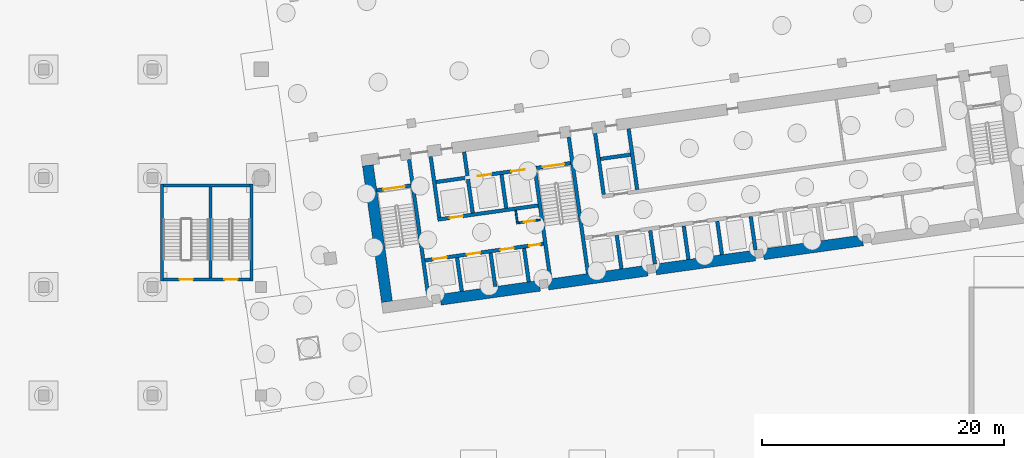
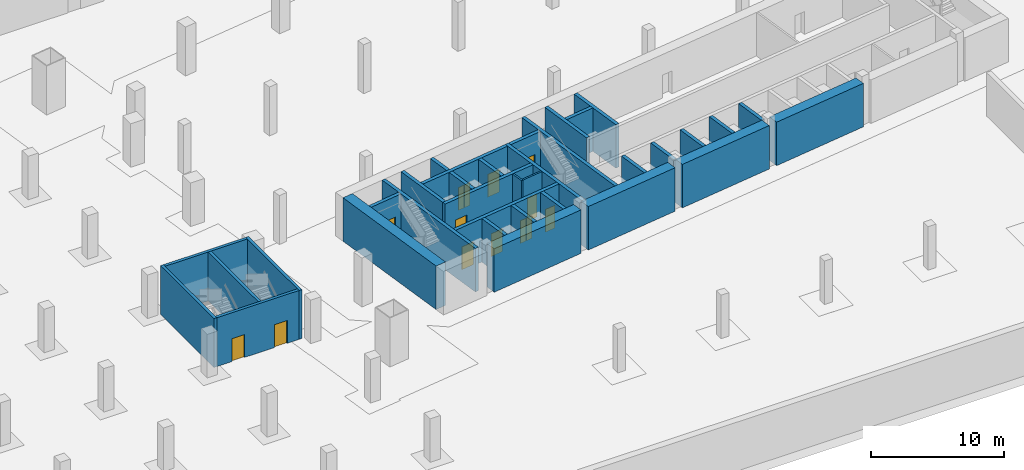
# One storey, part 10 of 19: 35 walls, 12 doors, 12 openings.
"""IFC4 building model written with IfcOpenShell, lengths in metres."""

from ifc_helpers import new_model, si_unit, direction, frame, frame_2d, origin, place, context, subcontext, project, spatial, rectangle, extrude, material, layer, layer_set, type_object, element, fill, save


model = new_model("IFC4")

# Units and contexts
model_context = context("Model", 3, precision=1e-05, world=origin(), true_north=direction((0.0, 1.0)))
body_context = subcontext(model_context, "Body", "Model", "MODEL_VIEW")
ifc_project = project(units=[si_unit("LENGTHUNIT", "METRE"), si_unit("AREAUNIT", "SQUARE_METRE"), si_unit("VOLUMEUNIT", "CUBIC_METRE"), si_unit("PLANEANGLEUNIT", "RADIAN"), si_unit("MASSUNIT", "GRAM", prefix="KILO")], contexts=[model_context])

# Site, building, storey
site_placement = place(None, origin())
site = spatial("IfcSite", under=ifc_project, at=site_placement, CompositionType="ELEMENT")
building_placement = place(site_placement, origin())
building = spatial("IfcBuilding", under=site, at=building_placement, Name="Mirante Cascada Hotel Towers", CompositionType="ELEMENT")
storey_placement = place(building_placement, frame((0.0, 0.0, -9.0)))
storey = spatial("IfcBuildingStorey", under=building, at=storey_placement, Name="B2", CompositionType="ELEMENT", Elevation=-9.0)

# Wall, openings, doors
ifc_material_1 = material(Name="Concrete C35/45", Category="concrete")
ifc_layer_1 = layer(ifc_material_1, 0.25)
ifc_layer_set_1 = layer_set([ifc_layer_1], Name="Basement stair wall 250 concrete C35/45 EI 120")
wall_type_1 = type_object("IfcWallType", Name="Basement stair wall 250 concrete C35/45 EI 120", PredefinedType="STANDARD", material=ifc_layer_set_1)
wall_1_placement = place(storey_placement, frame((18.925, -17.4, 0.0), z_axis=(0.0, 0.0, 1.0), x_axis=(1.0, 0.0, 0.0)))
wall_1 = element("IfcWall", 1, at=wall_1_placement, inside=storey, type_object=wall_type_1, Name="Stair wall B2", PredefinedType="STANDARD", context=body_context, shape_type="SweptSolid", body=[
    extrude(rectangle(XDim=7.15, YDim=0.25, at=frame_2d((3.575, 0.0))), origin(), (0.0, 0.0, 1.0), 4.5),
])
opening_1_placement = place(wall_1_placement, frame((5.025, 0.0, 0.0)))
opening_1 = element("IfcOpeningElement", 2, at=opening_1_placement, cuts=wall_1, Name="Opening DB-2-12", PredefinedType="OPENING", context=body_context, shape_type="SweptSolid", body=[
    extrude(rectangle(XDim=1.1, YDim=2.1, at=frame_2d((0.55, 1.05))), frame((0.0, 0.125, 0.0), z_axis=(0.0, -1.0, 0.0), x_axis=(1.0, 0.0, 0.0)), (0.0, 0.0, 1.0), 0.25),
])
opening_2_placement = place(wall_1_placement, frame((1.325, 0.0, 0.0)))
opening_2 = element("IfcOpeningElement", 3, at=opening_2_placement, cuts=wall_1, Name="Opening DB-2-13", PredefinedType="OPENING", context=body_context, shape_type="SweptSolid", body=[
    extrude(rectangle(XDim=1.1, YDim=2.1, at=frame_2d((0.55, 1.05))), frame((0.0, 0.125, 0.0), z_axis=(0.0, -1.0, 0.0), x_axis=(1.0, 0.0, 0.0)), (0.0, 0.0, 1.0), 0.25),
])
ifc_material_2 = material(Name="Hollow metal fire door leaf")
door_type_1 = type_object("IfcDoorType", Name="Basement fire door 1100x2100 FD60", OperationType="NOTDEFINED", PredefinedType="DOOR", material=ifc_material_2)
door_1_placement = place(opening_1_placement, origin())
door_1 = element("IfcDoor", 4, at=door_1_placement, inside=storey, type_object=door_type_1, Name="Door to exit stair 4 DB-2-12", OperationType="SINGLE_SWING_RIGHT", OverallHeight=2.1, OverallWidth=1.1, PredefinedType="DOOR", context=body_context, shape_type="SweptSolid", body=[
    extrude(rectangle(XDim=1.1, YDim=2.1, at=frame_2d((0.55, 1.05))), frame((0.0, 0.025, 0.0), z_axis=(0.0, -1.0, 0.0), x_axis=(1.0, 0.0, 0.0)), (0.0, 0.0, 1.0), 0.05),
])
fill(opening_1, door_1)
door_2_placement = place(opening_2_placement, origin())
door_2 = element("IfcDoor", 5, at=door_2_placement, inside=storey, type_object=door_type_1, Name="Door to exit stair 6 DB-2-13", OperationType="SINGLE_SWING_LEFT", OverallHeight=2.1, OverallWidth=1.1, PredefinedType="DOOR", context=body_context, shape_type="SweptSolid", body=[
    extrude(rectangle(XDim=1.1, YDim=2.1, at=frame_2d((0.55, 1.05))), frame((0.0, 0.025, 0.0), z_axis=(0.0, -1.0, 0.0), x_axis=(1.0, 0.0, 0.0)), (0.0, 0.0, 1.0), 0.05),
])
fill(opening_2, door_2)

# Walls
wall_2_placement = place(storey_placement, frame((18.925, -9.6, 0.0), z_axis=(0.0, 0.0, 1.0), x_axis=(1.0, 0.0, 0.0)))
element("IfcWall", 6, at=wall_2_placement, inside=storey, type_object=wall_type_1, Name="Stair wall B2", PredefinedType="STANDARD", context=body_context, shape_type="SweptSolid", body=[
    extrude(rectangle(XDim=7.15, YDim=0.25, at=frame_2d((3.575, 0.0))), origin(), (0.0, 0.0, 1.0), 4.5),
])
for number, where, z_axis, x_axis, name in (
    (7, (26.2, -17.525, 0.0), (0.0, 0.0, 1.0), (0.0, 1.0, 0.0), "Stair wall B2"),
    (8, (18.8, -17.525, 0.0), (0.0, 0.0, 1.0), (0.0, 1.0, 0.0), "Stair wall B2"),
):
    element("IfcWall", number, at=place(storey_placement, frame(where, z_axis=z_axis, x_axis=x_axis)), inside=storey, type_object=wall_type_1, Name=name, PredefinedType="STANDARD", context=body_context, shape_type="SweptSolid", body=[
        extrude(rectangle(XDim=8.05, YDim=0.25, at=frame_2d((4.025, 0.0))), origin(), (0.0, 0.0, 1.0), 4.5),
    ])
ifc_material_3 = material(Name="Masonry block", Category="masonry")
ifc_layer_2 = layer(ifc_material_3, 0.15)
ifc_layer_set_2 = layer_set([ifc_layer_2], Name="Core room partition 150 block EI 30")
wall_type_2 = type_object("IfcWallType", Name="Core room partition 150 block EI 30", PredefinedType="PARTITIONING", material=ifc_layer_set_2)
wall_3_placement = place(storey_placement, frame((48.2295, -12.793, 0.0), z_axis=(0.0, 0.0, 1.0), x_axis=(-0.1391935, 0.9902652, 0.0)))
element("IfcWall", 9, at=wall_3_placement, inside=storey, type_object=wall_type_2, Name="Core wall partition T2 B2 2", PredefinedType="PARTITIONING", context=body_context, shape_type="SweptSolid", body=[
    extrude(rectangle(XDim=1.1251, YDim=0.15, at=frame_2d((0.5626, 0.0))), origin(), (0.0, 0.0, 1.0), 4.0),
])

# Wall, opening, door
wall_4_placement = place(storey_placement, frame((48.2933, -12.7083, 0.0), z_axis=(0.0, 0.0, 1.0), x_axis=(0.990268, 0.1391734, 0.0)))
wall_4 = element("IfcWall", 10, at=wall_4_placement, inside=storey, type_object=wall_type_2, Name="Core wall partition T2 B2 3", PredefinedType="PARTITIONING", context=body_context, shape_type="SweptSolid", body=[
    extrude(rectangle(XDim=1.8251, YDim=0.15, at=frame_2d((0.9126, 0.0))), origin(), (0.0, 0.0, 1.0), 4.0),
])
opening_3_placement = place(wall_4_placement, frame((0.4625, 0.0, 0.0)))
opening_3 = element("IfcOpeningElement", 11, at=opening_3_placement, cuts=wall_4, Name="Opening D2-B2-C26", PredefinedType="OPENING", context=body_context, shape_type="SweptSolid", body=[
    extrude(rectangle(XDim=0.9, YDim=2.1, at=frame_2d((0.45, 1.05))), frame((0.0, 0.075, 0.0), z_axis=(0.0, -1.0, 0.0), x_axis=(1.0, 0.0, 0.0)), (0.0, 0.0, 1.0), 0.15),
])
ifc_material_4 = material(Name="Hollow metal fire door leaf")
door_type_2 = type_object("IfcDoorType", Name="Fire door 900x2100 FD60", OperationType="NOTDEFINED", PredefinedType="DOOR", material=ifc_material_4)
door_3_placement = place(opening_3_placement, frame((0.9, 0.0, 0.0), z_axis=(0.0, 0.0, 1.0), x_axis=(-1.0, 0.0, 0.0)))
door_3 = element("IfcDoor", 12, at=door_3_placement, inside=storey, type_object=door_type_2, Name="Riser door T2 B2 26", OperationType="SINGLE_SWING_LEFT", OverallHeight=2.1, OverallWidth=0.9, PredefinedType="DOOR", context=body_context, shape_type="SweptSolid", body=[
    extrude(rectangle(XDim=0.9, YDim=2.1, at=frame_2d((0.45, 1.05))), frame((0.0, 0.025, 0.0), z_axis=(0.0, -1.0, 0.0), x_axis=(1.0, 0.0, 0.0)), (0.0, 0.0, 1.0), 0.05),
])
fill(opening_3, door_3)

# Walls
ifc_material_5 = material(Name="Masonry block", Category="masonry")
ifc_layer_3 = layer(ifc_material_5, 0.3)
ifc_layer_set_3 = layer_set([ifc_layer_3], Name="Core wall 300 block EI 120")
wall_type_3 = type_object("IfcWallType", Name="Core wall 300 block EI 120", PredefinedType="PARTITIONING", material=ifc_layer_set_3)
wall_5_placement = place(storey_placement, frame((44.0843, -8.8061, 0.0), z_axis=(0.0, 0.0, 1.0), x_axis=(-0.1391951, 0.990265, 0.0)))
element("IfcWall", 13, at=wall_5_placement, inside=storey, type_object=wall_type_3, Name="Core wall partition T2 B2 1", PredefinedType="PARTITIONING", context=body_context, shape_type="SweptSolid", body=[
    extrude(rectangle(XDim=2.0001, YDim=0.3, at=frame_2d((1.0001, 0.0))), origin(), (0.0, 0.0, 1.0), 4.0),
])
ifc_material_6 = material(Name="Concrete C50/60", Category="concrete")
ifc_layer_4 = layer(ifc_material_6, 0.3)
ifc_layer_set_4 = layer_set([ifc_layer_4], Name="RC core wall 300 C50/60")
wall_type_4 = type_object("IfcWallType", Name="RC core wall 300 C50/60", PredefinedType="SHEAR", material=ifc_layer_set_4)
wall_6_placement = place(storey_placement, frame((40.8373, -18.7548, 0.0), z_axis=(0.0, 0.0, 1.0), x_axis=(-0.1391749, 0.9902678, 0.0)))
element("IfcWall", 14, at=wall_6_placement, inside=storey, type_object=wall_type_4, Name="Core wall T2:B2:5", PredefinedType="SHEAR", context=body_context, shape_type="SweptSolid", body=[
    extrude(rectangle(XDim=11.4, YDim=0.3, at=frame_2d((5.7, 0.0))), origin(), (0.0, 0.0, 1.0), 4.0),
])
wall_7_placement = place(storey_placement, frame((50.938, -17.3352, 0.0), z_axis=(0.0, 0.0, 1.0), x_axis=(-0.1391706, 0.9902684, 0.0)))
element("IfcWall", 15, at=wall_7_placement, inside=storey, type_object=wall_type_4, Name="Core wall T2:B2:6", PredefinedType="SHEAR", context=body_context, shape_type="SweptSolid", body=[
    extrude(rectangle(XDim=9.4, YDim=0.3, at=frame_2d((4.7, 0.0))), origin(), (0.0, 0.0, 1.0), 4.0),
])
wall_8_placement = place(storey_placement, frame((54.0574, -16.8968, 0.0), z_axis=(0.0, 0.0, 1.0), x_axis=(-0.1391761, 0.9902677, 0.0)))
element("IfcWall", 16, at=wall_8_placement, inside=storey, type_object=wall_type_4, Name="Core wall T2:B2:7", PredefinedType="SHEAR", context=body_context, shape_type="SweptSolid", body=[
    extrude(rectangle(XDim=11.3999, YDim=0.3, at=frame_2d((5.7, 0.0))), origin(), (0.0, 0.0, 1.0), 4.0),
])

# Wall, opening, door
wall_9_placement = place(storey_placement, frame((36.5791, -10.0123, 0.0), z_axis=(0.0, 0.0, 1.0), x_axis=(0.9902704, 0.1391564, 0.0)))
wall_9 = element("IfcWall", 17, at=wall_9_placement, inside=storey, type_object=wall_type_4, Name="Core wall T2:B2:9", PredefinedType="SHEAR", context=body_context, shape_type="SweptSolid", body=[
    extrude(rectangle(XDim=2.85, YDim=0.3, at=frame_2d((1.425, 0.0))), origin(), (0.0, 0.0, 1.0), 4.0),
])
opening_4_placement = place(wall_9_placement, frame((0.525, 0.0, 0.0)))
opening_4 = element("IfcOpeningElement", 18, at=opening_4_placement, cuts=wall_9, Name="Opening D2-B2-C16", PredefinedType="OPENING", context=body_context, shape_type="SweptSolid", body=[
    extrude(rectangle(XDim=1.8, YDim=2.1, at=frame_2d((0.9, 1.05))), frame((0.0, 0.15, 0.0), z_axis=(0.0, -1.0, 0.0), x_axis=(1.0, 0.0, 0.0)), (0.0, 0.0, 1.0), 0.3),
])
ifc_material_7 = material(Name="Hollow metal fire door leaf")
door_type_3 = type_object("IfcDoorType", Name="Double fire door 1800x2100 FD60", OperationType="DOUBLE_DOOR_SINGLE_SWING", PredefinedType="DOOR", material=ifc_material_7)
door_4_placement = place(opening_4_placement, frame((1.8, 0.0, 0.0), z_axis=(0.0, 0.0, 1.0), x_axis=(-1.0, 0.0, 0.0)))
door_4 = element("IfcDoor", 19, at=door_4_placement, inside=storey, type_object=door_type_3, Name="Stair door T2 B2 16", OperationType="DOUBLE_DOOR_SINGLE_SWING", OverallHeight=2.1, OverallWidth=1.8, PredefinedType="DOOR", context=body_context, shape_type="SweptSolid", body=[
    extrude(rectangle(XDim=0.895, YDim=2.1, at=frame_2d((0.4475, 1.05))), frame((0.0, 0.025, 0.0), z_axis=(0.0, -1.0, 0.0), x_axis=(1.0, 0.0, 0.0)), (0.0, 0.0, 1.0), 0.05),
    extrude(rectangle(XDim=0.895, YDim=2.1, at=frame_2d((1.3525, 1.05))), frame((0.0, 0.025, 0.0), z_axis=(0.0, -1.0, 0.0), x_axis=(1.0, 0.0, 0.0)), (0.0, 0.0, 1.0), 0.05),
])
fill(opening_4, door_4)

wall_10_placement = place(storey_placement, frame((49.7992, -8.1544, 0.0), z_axis=(0.0, 0.0, 1.0), x_axis=(0.9902656, 0.1391909, 0.0)))
wall_10 = element("IfcWall", 20, at=wall_10_placement, inside=storey, type_object=wall_type_4, Name="Core wall T2:B2:10", PredefinedType="SHEAR", context=body_context, shape_type="SweptSolid", body=[
    extrude(rectangle(XDim=2.85, YDim=0.3, at=frame_2d((1.425, 0.0))), origin(), (0.0, 0.0, 1.0), 4.0),
])
opening_5_placement = place(wall_10_placement, frame((0.525, 0.0, 0.0)))
opening_5 = element("IfcOpeningElement", 21, at=opening_5_placement, cuts=wall_10, Name="Opening D2-B2-C18", PredefinedType="OPENING", context=body_context, shape_type="SweptSolid", body=[
    extrude(rectangle(XDim=1.8, YDim=2.1, at=frame_2d((0.9, 1.05))), frame((0.0, 0.15, 0.0), z_axis=(0.0, -1.0, 0.0), x_axis=(1.0, 0.0, 0.0)), (0.0, 0.0, 1.0), 0.3),
])
door_5_placement = place(opening_5_placement, frame((1.8, 0.0, 0.0), z_axis=(0.0, 0.0, 1.0), x_axis=(-1.0, 0.0, 0.0)))
door_5 = element("IfcDoor", 22, at=door_5_placement, inside=storey, type_object=door_type_3, Name="Stair door T2 B2 18", OperationType="DOUBLE_DOOR_SINGLE_SWING", OverallHeight=2.1, OverallWidth=1.8, PredefinedType="DOOR", context=body_context, shape_type="SweptSolid", body=[
    extrude(rectangle(XDim=0.895, YDim=2.1, at=frame_2d((0.4475, 1.05))), frame((0.0, 0.025, 0.0), z_axis=(0.0, -1.0, 0.0), x_axis=(1.0, 0.0, 0.0)), (0.0, 0.0, 1.0), 0.05),
    extrude(rectangle(XDim=0.895, YDim=2.1, at=frame_2d((1.3525, 1.05))), frame((0.0, 0.025, 0.0), z_axis=(0.0, -1.0, 0.0), x_axis=(1.0, 0.0, 0.0)), (0.0, 0.0, 1.0), 0.05),
])
fill(opening_5, door_5)

# Wall, openings, doors
wall_11_placement = place(storey_placement, frame((40.5753, -15.8126, 0.0), z_axis=(0.0, 0.0, 1.0), x_axis=(0.9902682, 0.1391725, 0.0)))
wall_11 = element("IfcWall", 23, at=wall_11_placement, inside=storey, type_object=wall_type_4, Name="Core wall T2:B2:12", PredefinedType="SHEAR", context=body_context, shape_type="SweptSolid", body=[
    extrude(rectangle(XDim=9.8999, YDim=0.3, at=frame_2d((4.95, 0.0))), origin(), (0.0, 0.0, 1.0), 4.0),
])
opening_6_placement = place(wall_11_placement, frame((0.7, 0.0, 0.0)))
opening_6 = element("IfcOpeningElement", 24, at=opening_6_placement, cuts=wall_11, Name="Opening LD", PredefinedType="OPENING", context=body_context, shape_type="SweptSolid", body=[
    extrude(rectangle(XDim=1.1, YDim=2.1, at=frame_2d((0.55, 1.05))), frame((0.0, 0.15, 0.0), z_axis=(0.0, -1.0, 0.0), x_axis=(1.0, 0.0, 0.0)), (0.0, 0.0, 1.0), 0.3),
])
opening_7_placement = place(wall_11_placement, frame((3.5, 0.0, 0.0)))
opening_7 = element("IfcOpeningElement", 25, at=opening_7_placement, cuts=wall_11, Name="Opening LD", PredefinedType="OPENING", context=body_context, shape_type="SweptSolid", body=[
    extrude(rectangle(XDim=1.1, YDim=2.1, at=frame_2d((0.55, 1.05))), frame((0.0, 0.15, 0.0), z_axis=(0.0, -1.0, 0.0), x_axis=(1.0, 0.0, 0.0)), (0.0, 0.0, 1.0), 0.3),
])
opening_8_placement = place(wall_11_placement, frame((6.3, 0.0, 0.0)))
opening_8 = element("IfcOpeningElement", 26, at=opening_8_placement, cuts=wall_11, Name="Opening LD", PredefinedType="OPENING", context=body_context, shape_type="SweptSolid", body=[
    extrude(rectangle(XDim=1.1, YDim=2.1, at=frame_2d((0.55, 1.05))), frame((0.0, 0.15, 0.0), z_axis=(0.0, -1.0, 0.0), x_axis=(1.0, 0.0, 0.0)), (0.0, 0.0, 1.0), 0.3),
])
opening_9_placement = place(wall_11_placement, frame((8.7, 0.0, 0.0)))
opening_9 = element("IfcOpeningElement", 27, at=opening_9_placement, cuts=wall_11, Name="Opening D2-B2-C25", PredefinedType="OPENING", context=body_context, shape_type="SweptSolid", body=[
    extrude(rectangle(XDim=0.9, YDim=2.1, at=frame_2d((0.45, 1.05))), frame((0.0, 0.15, 0.0), z_axis=(0.0, -1.0, 0.0), x_axis=(1.0, 0.0, 0.0)), (0.0, 0.0, 1.0), 0.3),
])
door_6_placement = place(opening_9_placement, frame((0.9, 0.0, 0.0), z_axis=(0.0, 0.0, 1.0), x_axis=(-1.0, 0.0, 0.0)))
door_6 = element("IfcDoor", 28, at=door_6_placement, inside=storey, type_object=door_type_2, Name="Riser door T2 B2 25", OperationType="SINGLE_SWING_RIGHT", OverallHeight=2.1, OverallWidth=0.9, PredefinedType="DOOR", context=body_context, shape_type="SweptSolid", body=[
    extrude(rectangle(XDim=0.9, YDim=2.1, at=frame_2d((0.45, 1.05))), frame((0.0, 0.025, 0.0), z_axis=(0.0, -1.0, 0.0), x_axis=(1.0, 0.0, 0.0)), (0.0, 0.0, 1.0), 0.05),
])
fill(opening_9, door_6)
ifc_material_8 = material(Name="Stainless steel", Category="steel")
door_type_4 = type_object("IfcDoorType", Name="Lift landing door 1100x2100 EI 120", OperationType="DOUBLE_DOOR_SLIDING", PredefinedType="DOOR", material=ifc_material_8)
door_7_placement = place(opening_6_placement, origin())
door_7 = element("IfcDoor", 29, at=door_7_placement, inside=storey, type_object=door_type_4, Name="Lift landing door HR2-1 B2", OperationType="DOUBLE_DOOR_SLIDING", OverallHeight=2.1, OverallWidth=1.1, PredefinedType="DOOR", context=body_context, shape_type="SweptSolid", body=[
    extrude(rectangle(XDim=0.545, YDim=2.1, at=frame_2d((0.2725, 1.05))), frame((0.0, 0.025, 0.0), z_axis=(0.0, -1.0, 0.0), x_axis=(1.0, 0.0, 0.0)), (0.0, 0.0, 1.0), 0.05),
    extrude(rectangle(XDim=0.545, YDim=2.1, at=frame_2d((0.8275, 1.05))), frame((0.0, 0.025, 0.0), z_axis=(0.0, -1.0, 0.0), x_axis=(1.0, 0.0, 0.0)), (0.0, 0.0, 1.0), 0.05),
])
fill(opening_6, door_7)
door_8_placement = place(opening_7_placement, origin())
door_8 = element("IfcDoor", 30, at=door_8_placement, inside=storey, type_object=door_type_4, Name="Lift landing door HR2-2 B2", OperationType="DOUBLE_DOOR_SLIDING", OverallHeight=2.1, OverallWidth=1.1, PredefinedType="DOOR", context=body_context, shape_type="SweptSolid", body=[
    extrude(rectangle(XDim=0.545, YDim=2.1, at=frame_2d((0.2725, 1.05))), frame((0.0, 0.025, 0.0), z_axis=(0.0, -1.0, 0.0), x_axis=(1.0, 0.0, 0.0)), (0.0, 0.0, 1.0), 0.05),
    extrude(rectangle(XDim=0.545, YDim=2.1, at=frame_2d((0.8275, 1.05))), frame((0.0, 0.025, 0.0), z_axis=(0.0, -1.0, 0.0), x_axis=(1.0, 0.0, 0.0)), (0.0, 0.0, 1.0), 0.05),
])
fill(opening_7, door_8)
door_9_placement = place(opening_8_placement, origin())
door_9 = element("IfcDoor", 31, at=door_9_placement, inside=storey, type_object=door_type_4, Name="Lift landing door HR2-3 B2", OperationType="DOUBLE_DOOR_SLIDING", OverallHeight=2.1, OverallWidth=1.1, PredefinedType="DOOR", context=body_context, shape_type="SweptSolid", body=[
    extrude(rectangle(XDim=0.545, YDim=2.1, at=frame_2d((0.2725, 1.05))), frame((0.0, 0.025, 0.0), z_axis=(0.0, -1.0, 0.0), x_axis=(1.0, 0.0, 0.0)), (0.0, 0.0, 1.0), 0.05),
    extrude(rectangle(XDim=0.545, YDim=2.1, at=frame_2d((0.8275, 1.05))), frame((0.0, 0.025, 0.0), z_axis=(0.0, -1.0, 0.0), x_axis=(1.0, 0.0, 0.0)), (0.0, 0.0, 1.0), 0.05),
])
fill(opening_8, door_9)

# Wall, opening, door
wall_12_placement = place(storey_placement, frame((41.6153, -12.435, 0.0), z_axis=(0.0, 0.0, 1.0), x_axis=(0.9902691, 0.139166, 0.0)))
wall_12 = element("IfcWall", 32, at=wall_12_placement, inside=storey, type_object=wall_type_4, Name="Core wall T2:B2:13", PredefinedType="SHEAR", context=body_context, shape_type="SweptSolid", body=[
    extrude(rectangle(XDim=8.4, YDim=0.3, at=frame_2d((4.2, 0.0))), origin(), (0.0, 0.0, 1.0), 4.0),
])
opening_10_placement = place(wall_12_placement, frame((1.0, 0.0, 0.0)))
opening_10 = element("IfcOpeningElement", 33, at=opening_10_placement, cuts=wall_12, Name="Opening LD", PredefinedType="OPENING", context=body_context, shape_type="SweptSolid", body=[
    extrude(rectangle(XDim=1.1, YDim=2.1, at=frame_2d((0.55, 1.05))), frame((0.0, 0.15, 0.0), z_axis=(0.0, -1.0, 0.0), x_axis=(1.0, 0.0, 0.0)), (0.0, 0.0, 1.0), 0.3),
])
door_10_placement = place(opening_10_placement, origin())
door_10 = element("IfcDoor", 34, at=door_10_placement, inside=storey, type_object=door_type_4, Name="Lift landing door HR2-4 B2", OperationType="DOUBLE_DOOR_SLIDING", OverallHeight=2.1, OverallWidth=1.1, PredefinedType="DOOR", context=body_context, shape_type="SweptSolid", body=[
    extrude(rectangle(XDim=0.545, YDim=2.1, at=frame_2d((0.2725, 1.05))), frame((0.0, 0.025, 0.0), z_axis=(0.0, -1.0, 0.0), x_axis=(1.0, 0.0, 0.0)), (0.0, 0.0, 1.0), 0.05),
    extrude(rectangle(XDim=0.545, YDim=2.1, at=frame_2d((0.8275, 1.05))), frame((0.0, 0.025, 0.0), z_axis=(0.0, -1.0, 0.0), x_axis=(1.0, 0.0, 0.0)), (0.0, 0.0, 1.0), 0.05),
])
fill(opening_10, door_10)

# Wall, openings, doors
wall_13_placement = place(storey_placement, frame((41.481, -9.3234, 0.0), z_axis=(0.0, 0.0, 1.0), x_axis=(0.9902679, 0.1391741, 0.0)))
wall_13 = element("IfcWall", 35, at=wall_13_placement, inside=storey, type_object=wall_type_4, Name="Core wall T2:B2:14", PredefinedType="SHEAR", context=body_context, shape_type="SweptSolid", body=[
    extrude(rectangle(XDim=8.0999, YDim=0.3, at=frame_2d((4.05, 0.0))), origin(), (0.0, 0.0, 1.0), 4.0),
])
opening_11_placement = place(wall_13_placement, frame((3.5, 0.0, 0.0)))
opening_11 = element("IfcOpeningElement", 36, at=opening_11_placement, cuts=wall_13, Name="Opening LD", PredefinedType="OPENING", context=body_context, shape_type="SweptSolid", body=[
    extrude(rectangle(XDim=1.1, YDim=2.1, at=frame_2d((0.55, 1.05))), frame((0.0, 0.15, 0.0), z_axis=(0.0, -1.0, 0.0), x_axis=(1.0, 0.0, 0.0)), (0.0, 0.0, 1.0), 0.3),
])
opening_12_placement = place(wall_13_placement, frame((6.3, 0.0, 0.0)))
opening_12 = element("IfcOpeningElement", 37, at=opening_12_placement, cuts=wall_13, Name="Opening LD", PredefinedType="OPENING", context=body_context, shape_type="SweptSolid", body=[
    extrude(rectangle(XDim=1.1, YDim=2.1, at=frame_2d((0.55, 1.05))), frame((0.0, 0.15, 0.0), z_axis=(0.0, -1.0, 0.0), x_axis=(1.0, 0.0, 0.0)), (0.0, 0.0, 1.0), 0.3),
])
door_11_placement = place(opening_11_placement, origin())
door_11 = element("IfcDoor", 38, at=door_11_placement, inside=storey, type_object=door_type_4, Name="Lift landing door FF3 B2", OperationType="DOUBLE_DOOR_SLIDING", OverallHeight=2.1, OverallWidth=1.1, PredefinedType="DOOR", context=body_context, shape_type="SweptSolid", body=[
    extrude(rectangle(XDim=0.545, YDim=2.1, at=frame_2d((0.2725, 1.05))), frame((0.0, 0.025, 0.0), z_axis=(0.0, -1.0, 0.0), x_axis=(1.0, 0.0, 0.0)), (0.0, 0.0, 1.0), 0.05),
    extrude(rectangle(XDim=0.545, YDim=2.1, at=frame_2d((0.8275, 1.05))), frame((0.0, 0.025, 0.0), z_axis=(0.0, -1.0, 0.0), x_axis=(1.0, 0.0, 0.0)), (0.0, 0.0, 1.0), 0.05),
])
fill(opening_11, door_11)
door_12_placement = place(opening_12_placement, origin())
door_12 = element("IfcDoor", 39, at=door_12_placement, inside=storey, type_object=door_type_4, Name="Lift landing door FF4 B2", OperationType="DOUBLE_DOOR_SLIDING", OverallHeight=2.1, OverallWidth=1.1, PredefinedType="DOOR", context=body_context, shape_type="SweptSolid", body=[
    extrude(rectangle(XDim=0.545, YDim=2.1, at=frame_2d((0.2725, 1.05))), frame((0.0, 0.025, 0.0), z_axis=(0.0, -1.0, 0.0), x_axis=(1.0, 0.0, 0.0)), (0.0, 0.0, 1.0), 0.05),
    extrude(rectangle(XDim=0.545, YDim=2.1, at=frame_2d((0.8275, 1.05))), frame((0.0, 0.025, 0.0), z_axis=(0.0, -1.0, 0.0), x_axis=(1.0, 0.0, 0.0)), (0.0, 0.0, 1.0), 0.05),
])
fill(opening_12, door_12)

# Walls
wall_14_placement = place(storey_placement, frame((43.61, -18.3651, 0.0), z_axis=(0.0, 0.0, 1.0), x_axis=(-0.1391459, 0.9902719, 0.0)))
element("IfcWall", 40, at=wall_14_placement, inside=storey, type_object=wall_type_4, Name="Core wall T2:B2:15", PredefinedType="SHEAR", context=body_context, shape_type="SweptSolid", body=[
    extrude(rectangle(XDim=2.7999, YDim=0.3, at=frame_2d((1.4, 0.0))), origin(), (0.0, 0.0, 1.0), 4.0),
])
wall_15_placement = place(storey_placement, frame((46.3828, -17.9754, 0.0), z_axis=(0.0, 0.0, 1.0), x_axis=(-0.139181, 0.990267, 0.0)))
element("IfcWall", 41, at=wall_15_placement, inside=storey, type_object=wall_type_4, Name="Core wall T2:B2:16", PredefinedType="SHEAR", context=body_context, shape_type="SweptSolid", body=[
    extrude(rectangle(XDim=2.8, YDim=0.3, at=frame_2d((1.4, 0.0))), origin(), (0.0, 0.0, 1.0), 4.0),
])
wall_16_placement = place(storey_placement, frame((49.1555, -17.5857, 0.0), z_axis=(0.0, 0.0, 1.0), x_axis=(-0.1391459, 0.9902719, 0.0)))
element("IfcWall", 42, at=wall_16_placement, inside=storey, type_object=wall_type_4, Name="Core wall T2:B2:17", PredefinedType="SHEAR", context=body_context, shape_type="SweptSolid", body=[
    extrude(rectangle(XDim=2.7999, YDim=0.3, at=frame_2d((1.4, 0.0))), origin(), (0.0, 0.0, 1.0), 4.0),
])
for number, where, z_axis, x_axis, name in (
    (43, (44.5157, -11.8759, 0.0), (0.0, 0.0, 1.0), (-0.139181, 0.990267, 0.0), "Core wall T2:B2:18"),
    (44, (47.2885, -11.4862, 0.0), (0.0, 0.0, 1.0), (-0.139181, 0.990267, 0.0), "Core wall T2:B2:19"),
):
    element("IfcWall", number, at=place(storey_placement, frame(where, z_axis=z_axis, x_axis=x_axis)), inside=storey, type_object=wall_type_4, Name=name, PredefinedType="SHEAR", context=body_context, shape_type="SweptSolid", body=[
        extrude(rectangle(XDim=2.8, YDim=0.3, at=frame_2d((1.4, 0.0))), origin(), (0.0, 0.0, 1.0), 4.0),
    ])
wall_17_placement = place(storey_placement, frame((41.743, -12.2656, 0.0), z_axis=(0.0, 0.0, 1.0), x_axis=(-0.1391755, 0.9902677, 0.0)))
element("IfcWall", 45, at=wall_17_placement, inside=storey, type_object=wall_type_4, Name="Core wall T2:B2:20", PredefinedType="SHEAR", context=body_context, shape_type="SweptSolid", body=[
    extrude(rectangle(XDim=5.1, YDim=0.3, at=frame_2d((2.55, 0.0))), origin(), (0.0, 0.0, 1.0), 4.0),
])
for number, where, z_axis, x_axis, name in (
    (46, (56.8301, -16.5072, 0.0), (0.0, 0.0, 1.0), (-0.139176, 0.9902677, 0.0), "Core wall T2:B2:25"),
    (47, (59.6029, -16.1175, 0.0), (0.0, 0.0, 1.0), (-0.139176, 0.9902677, 0.0), "Core wall T2:B2:26"),
    (48, (62.3756, -15.7278, 0.0), (0.0, 0.0, 1.0), (-0.139176, 0.9902677, 0.0), "Core wall T2:B2:27"),
    (49, (65.1484, -15.3381, 0.0), (0.0, 0.0, 1.0), (-0.139176, 0.9902677, 0.0), "Core wall T2:B2:28"),
):
    element("IfcWall", number, at=place(storey_placement, frame(where, z_axis=z_axis, x_axis=x_axis)), inside=storey, type_object=wall_type_4, Name=name, PredefinedType="SHEAR", context=body_context, shape_type="SweptSolid", body=[
        extrude(rectangle(XDim=2.8001, YDim=0.3, at=frame_2d((1.4, 0.0))), origin(), (0.0, 0.0, 1.0), 4.0),
    ])
wall_18_placement = place(storey_placement, frame((67.9211, -14.9484, 0.0), z_axis=(0.0, 0.0, 1.0), x_axis=(-0.139181, 0.990267, 0.0)))
element("IfcWall", 50, at=wall_18_placement, inside=storey, type_object=wall_type_4, Name="Core wall T2:B2:29", PredefinedType="SHEAR", context=body_context, shape_type="SweptSolid", body=[
    extrude(rectangle(XDim=2.8, YDim=0.3, at=frame_2d((1.4, 0.0))), origin(), (0.0, 0.0, 1.0), 4.0),
])
for number, where, z_axis, x_axis, name in (
    (51, (55.3592, -10.352, 0.0), (0.0, 0.0, 1.0), (-0.1391755, 0.9902677, 0.0), "Core wall T2:B2:35"),
    (52, (58.1319, -9.9623, 0.0), (0.0, 0.0, 1.0), (-0.1391755, 0.9902677, 0.0), "Core wall T2:B2:37"),
):
    element("IfcWall", number, at=place(storey_placement, frame(where, z_axis=z_axis, x_axis=x_axis)), inside=storey, type_object=wall_type_4, Name=name, PredefinedType="SHEAR", context=body_context, shape_type="SweptSolid", body=[
        extrude(rectangle(XDim=5.1, YDim=0.3, at=frame_2d((2.55, 0.0))), origin(), (0.0, 0.0, 1.0), 4.0),
    ])
wall_19_placement = place(storey_placement, frame((55.0971, -7.4098, 0.0), z_axis=(0.0, 0.0, 1.0), x_axis=(0.9902701, 0.1391586, 0.0)))
element("IfcWall", 53, at=wall_19_placement, inside=storey, type_object=wall_type_4, Name="Core wall T2:B2:38", PredefinedType="SHEAR", context=body_context, shape_type="SweptSolid", body=[
    extrude(rectangle(XDim=2.5, YDim=0.3, at=frame_2d((1.25, 0.0))), origin(), (0.0, 0.0, 1.0), 4.0),
])
ifc_material_9 = material(Name="Concrete C50/60", Category="concrete")
ifc_layer_5 = layer(ifc_material_9, 0.9)
ifc_layer_set_5 = layer_set([ifc_layer_5], Name="RC core wall 900 C50/60")
wall_type_5 = type_object("IfcWallType", Name="RC core wall 900 C50/60", PredefinedType="SHEAR", material=ifc_layer_set_5)
for number, where, z_axis, x_axis, name in (
    (54, (41.8407, -19.0682, 0.0), (0.0, 0.0, 1.0), (0.9902686, 0.1391692, 0.0), "Core wall T2:B2:1.2"),
    (55, (50.7531, -17.8156, 0.0), (0.0, 0.0, 1.0), (0.9902686, 0.1391692, 0.0), "Core wall T2:B2:1.3"),
    (56, (59.6655, -16.5631, 0.0), (0.0, 0.0, 1.0), (0.9902686, 0.1391692, 0.0), "Core wall T2:B2:1.4"),
    (57, (68.5779, -15.3105, 0.0), (0.0, 0.0, 1.0), (0.9902686, 0.1391692, 0.0), "Core wall T2:B2:1.5"),
):
    element("IfcWall", number, at=place(storey_placement, frame(where, z_axis=z_axis, x_axis=x_axis)), inside=storey, type_object=wall_type_5, Name=name, PredefinedType="SHEAR", context=body_context, shape_type="SweptSolid", body=[
        extrude(rectangle(XDim=8.3, YDim=0.9, at=frame_2d((4.15, 0.0))), origin(), (0.0, 0.0, 1.0), 4.0),
    ])
wall_20_placement = place(storey_placement, frame((37.4209, -19.2349, 0.0), z_axis=(0.0, 0.0, 1.0), x_axis=(-0.1391761, 0.9902677, 0.0)))
element("IfcWall", 58, at=wall_20_placement, inside=storey, type_object=wall_type_5, Name="Core wall T2:B2:3", PredefinedType="SHEAR", context=body_context, shape_type="SweptSolid", body=[
    extrude(rectangle(XDim=11.3999, YDim=0.9, at=frame_2d((5.7, 0.0))), origin(), (0.0, 0.0, 1.0), 4.0),
])
ifc_material_10 = material(Name="Concrete C35/45", Category="concrete")
ifc_layer_6 = layer(ifc_material_10, 0.25)
ifc_layer_set_6 = layer_set([ifc_layer_6], Name="Stair wall 250 concrete C35/45 EI 120")
wall_type_6 = type_object("IfcWallType", Name="Stair wall 250 concrete C35/45 EI 120", PredefinedType="STANDARD", material=ifc_layer_set_6)
wall_21_placement = place(storey_placement, frame((22.8, -17.275, 0.0), z_axis=(0.0, 0.0, 1.0), x_axis=(0.0, 1.0, 0.0)))
element("IfcWall", 59, at=wall_21_placement, inside=storey, type_object=wall_type_6, Name="Stair wall P B2", PredefinedType="STANDARD", context=body_context, shape_type="SweptSolid", body=[
    extrude(rectangle(XDim=7.55, YDim=0.25, at=frame_2d((3.775, 0.0))), origin(), (0.0, 0.0, 1.0), 4.5),
])

save(model, "model.ifc")
